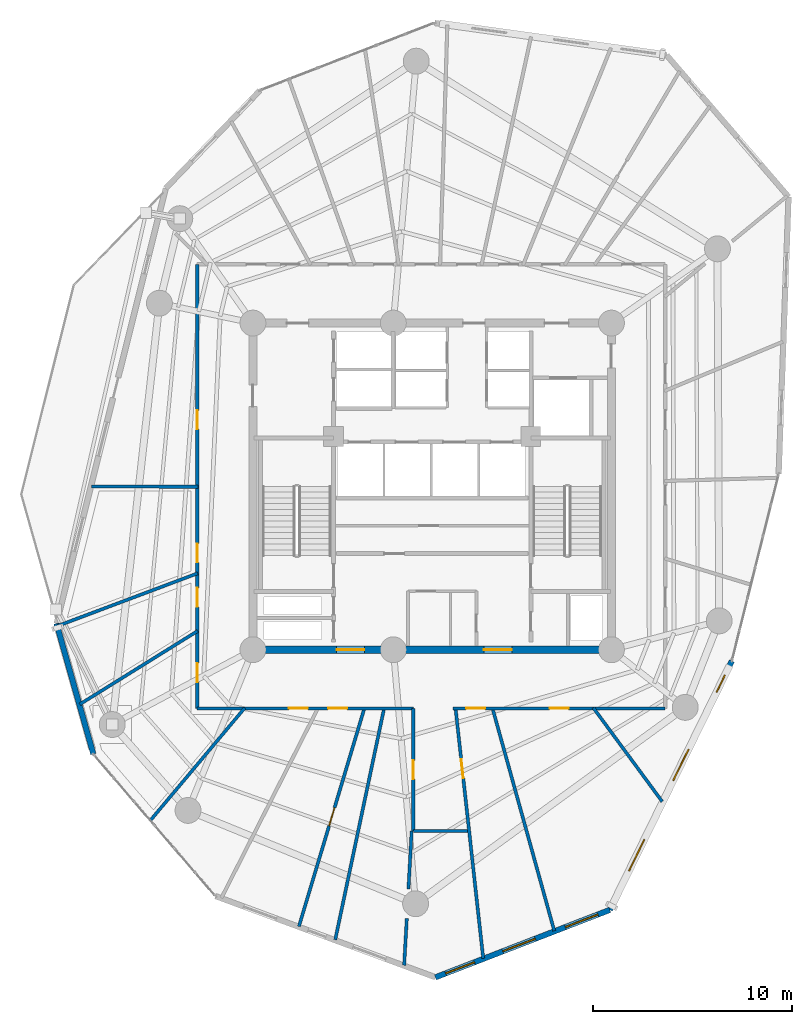
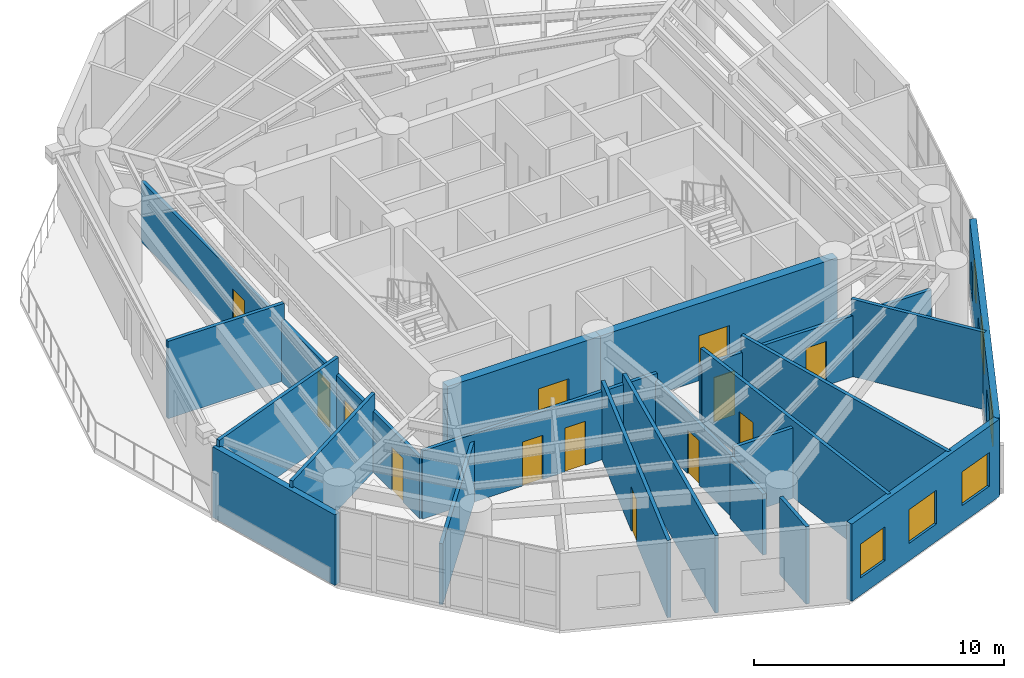
# One storey, part 7 of 14: 21 walls, 13 doors, 6 windows, 19 openings.
"""IFC4 building model written with IfcOpenShell, lengths in metres."""

from ifc_helpers import new_model, si_unit, direction, frame, frame_2d, origin, origin_with_axes, place, context, subcontext, project, spatial, rectangle, extrude, source, transform, mapped, material, layer, layer_set, type_object, element, fill, save


model = new_model("IFC4")

# Units and contexts
model_context = context("Model", 3, precision=1e-05, world=origin(), true_north=direction((0.0, 1.0)))
body_context = subcontext(model_context, "Body", "Model", "MODEL_VIEW")
ifc_project = project(units=[si_unit("LENGTHUNIT", "METRE"), si_unit("AREAUNIT", "SQUARE_METRE"), si_unit("VOLUMEUNIT", "CUBIC_METRE"), si_unit("PLANEANGLEUNIT", "RADIAN"), si_unit("MASSUNIT", "GRAM", prefix="KILO")], contexts=[model_context])

# Site, building, storey
site_placement = place(None, origin())
site = spatial("IfcSite", under=ifc_project, at=site_placement, CompositionType="ELEMENT")
building_placement = place(site_placement, origin())
building = spatial("IfcBuilding", under=site, at=building_placement, Name="Karkom Vertical University and Central Library", CompositionType="ELEMENT")
storey_placement = place(building_placement, frame((0.0, 0.0, 152.550048828125)))
storey = spatial("IfcBuildingStorey", under=building, at=storey_placement, Name="L43", CompositionType="ELEMENT", Elevation=152.550048828125)

# Wall
ifc_material_1 = material(Name="Brick-faced precast concrete C45/55", Category="masonry")
ifc_layer_1 = layer(ifc_material_1, 0.280029296875)
ifc_layer_set_1 = layer_set([ifc_layer_1], Name="Brick-faced precast concrete C45/55")
wall_type_1 = type_object("IfcWallType", Name="ENV-WL-BRK-280", PredefinedType="SOLIDWALL", material=ifc_layer_set_1)
wall_1_placement = place(storey_placement, frame((9.63671875, 19.61767578125, 0.0), z_axis=(0.0, 0.0, 1.0), x_axis=(0.271681437249, -0.96238723841, 0.0)))
element("IfcWall", 1, at=wall_1_placement, inside=storey, type_object=wall_type_1, Name="Level 43 Brick-Faced Precast Facade Wall 01", PredefinedType="SOLIDWALL", context=body_context, shape_type="SweptSolid", body=[
    extrude(rectangle(XDim=6.8134765625, YDim=0.280029296875, at=frame_2d((3.40673828125, 0.0))), origin(), (0.0, 0.0, 1.0), 3.445068359375),
])

# Wall, openings, windows
wall_2_placement = place(storey_placement, frame((28.6611328125, 1.85009765625, 0.0), z_axis=(0.0, 0.0, 1.0), x_axis=(0.93264769039, 0.360788422223, 0.0)))
wall_2 = element("IfcWall", 2, at=wall_2_placement, inside=storey, type_object=wall_type_1, Name="Level 43 Brick-Faced Precast Facade Wall 04", PredefinedType="SOLIDWALL", context=body_context, shape_type="SweptSolid", body=[
    extrude(rectangle(XDim=9.39111328125, YDim=0.280029296875, at=frame_2d((4.695556640625, 0.0))), origin(), (0.0, 0.0, 1.0), 3.77490234375),
])
opening_1_placement = place(wall_2_placement, frame((0.551513671875, 0.0, 0.85009765625)))
opening_1 = element("IfcOpeningElement", 3, at=opening_1_placement, cuts=wall_2, Name="Opening WN-09", PredefinedType="OPENING", context=body_context, shape_type="SweptSolid", body=[
    extrude(rectangle(XDim=1.550048828125, YDim=1.64990234375, at=frame_2d((0.77490234375, 0.824951171875))), frame((0.0, 0.14990234375, 0.0), z_axis=(0.0, -1.0, 0.0), x_axis=(1.0, 0.0, 0.0)), (0.0, 0.0, 1.0), 0.300048828125),
])
opening_2_placement = place(wall_2_placement, frame((3.62744140625, 0.0, 0.85009765625)))
opening_2 = element("IfcOpeningElement", 4, at=opening_2_placement, cuts=wall_2, Name="Opening WN-08", PredefinedType="OPENING", context=body_context, shape_type="SweptSolid", body=[
    extrude(rectangle(XDim=1.75, YDim=1.64990234375, at=frame_2d((0.875, 0.824951171875))), frame((0.0, 0.14990234375, 0.0), z_axis=(0.0, -1.0, 0.0), x_axis=(1.0, 0.0, 0.0)), (0.0, 0.0, 1.0), 0.300048828125),
])
opening_3_placement = place(wall_2_placement, frame((6.99658203125, 0.0, 0.85009765625)))
opening_3 = element("IfcOpeningElement", 5, at=opening_3_placement, cuts=wall_2, Name="Opening WN-08", PredefinedType="OPENING", context=body_context, shape_type="SweptSolid", body=[
    extrude(rectangle(XDim=1.75, YDim=1.64990234375, at=frame_2d((0.875, 0.824951171875))), frame((0.0, 0.14990234375, 0.0), z_axis=(0.0, -1.0, 0.0), x_axis=(1.0, 0.0, 0.0)), (0.0, 0.0, 1.0), 0.300048828125),
])
ifc_material_2 = material(Name="Aluminium thermal-break frame with solar-control IGU", Category="aluminium")
window_type_1 = type_object("IfcWindowType", Name="ENV-WIN-WN-08", PartitioningType="SINGLE_PANEL", PredefinedType="WINDOW", material=ifc_material_2)
shared_shape_1 = source(origin_with_axes(), body_context, "Body", "SweptSolid", [
    extrude(rectangle(XDim=1.75, YDim=1.64990234375, at=frame_2d((0.875, 0.824951171875))), frame((0.0, 0.030029296875, 0.0), z_axis=(0.0, -1.0, 0.0), x_axis=(1.0, 0.0, 0.0)), (0.0, 0.0, 1.0), 0.06005859375),
])
window_1_placement = place(opening_2_placement, origin())
window_1 = element("IfcWindow", 6, at=window_1_placement, inside=storey, type_object=window_type_1, Name="Level 43 Punched Window 4.2", OverallHeight=1.64990234375, OverallWidth=1.75, PartitioningType="SINGLE_PANEL", PredefinedType="WINDOW", context=body_context, shape_type="MappedRepresentation", body=[
    mapped(shared_shape_1, transform((0.0, 0.0, 0.0), scale=1.0)),
])
fill(opening_2, window_1)
window_2_placement = place(opening_3_placement, origin())
window_2 = element("IfcWindow", 7, at=window_2_placement, inside=storey, type_object=window_type_1, Name="Level 43 Punched Window 4.3", OverallHeight=1.64990234375, OverallWidth=1.75, PartitioningType="SINGLE_PANEL", PredefinedType="WINDOW", context=body_context, shape_type="MappedRepresentation", body=[
    mapped(shared_shape_1, transform((0.0, 0.0, 0.0), scale=1.0)),
])
fill(opening_3, window_2)
window_type_2 = type_object("IfcWindowType", Name="ENV-WIN-WN-09", PartitioningType="SINGLE_PANEL", PredefinedType="WINDOW", material=ifc_material_2)
shared_shape_2 = source(origin_with_axes(), body_context, "Body", "SweptSolid", [
    extrude(rectangle(XDim=1.550048828125, YDim=1.64990234375, at=frame_2d((0.77490234375, 0.824951171875))), frame((0.0, 0.030029296875, 0.0), z_axis=(0.0, -1.0, 0.0), x_axis=(1.0, 0.0, 0.0)), (0.0, 0.0, 1.0), 0.06005859375),
])
window_3_placement = place(opening_1_placement, origin())
window_3 = element("IfcWindow", 8, at=window_3_placement, inside=storey, type_object=window_type_2, Name="Level 43 Punched Window 4.1", OverallHeight=1.64990234375, OverallWidth=1.550048828125, PartitioningType="SINGLE_PANEL", PredefinedType="WINDOW", context=body_context, shape_type="MappedRepresentation", body=[
    mapped(shared_shape_2, transform((0.0, 0.0, 0.0), scale=1.0)),
])
fill(opening_1, window_3)

wall_3_placement = place(storey_placement, frame((37.419677734375, 5.23828125, 0.0), z_axis=(0.0, 0.0, 1.0), x_axis=(0.440185493808, 0.897906861005, 0.0)))
wall_3 = element("IfcWall", 9, at=wall_3_placement, inside=storey, type_object=wall_type_1, Name="Level 43 Brick-Faced Precast Facade Wall 05", PredefinedType="SOLIDWALL", context=body_context, shape_type="SweptSolid", body=[
    extrude(rectangle(XDim=13.92236328125, YDim=0.280029296875, at=frame_2d((6.961181640625, 0.0))), origin(), (0.0, 0.0, 1.0), 3.77490234375),
])
opening_4_placement = place(wall_3_placement, frame((2.182861328125, 0.0, 0.85009765625)))
opening_4 = element("IfcOpeningElement", 10, at=opening_4_placement, cuts=wall_3, Name="Opening WN-08", PredefinedType="OPENING", context=body_context, shape_type="SweptSolid", body=[
    extrude(rectangle(XDim=1.75, YDim=1.64990234375, at=frame_2d((0.875, 0.824951171875))), frame((0.0, 0.14990234375, 0.0), z_axis=(0.0, -1.0, 0.0), x_axis=(1.0, 0.0, 0.0)), (0.0, 0.0, 1.0), 0.300048828125),
])
opening_5_placement = place(wall_3_placement, frame((7.23046875, 0.0, 0.85009765625)))
opening_5 = element("IfcOpeningElement", 11, at=opening_5_placement, cuts=wall_3, Name="Opening WN-08", PredefinedType="OPENING", context=body_context, shape_type="SweptSolid", body=[
    extrude(rectangle(XDim=1.75, YDim=1.64990234375, at=frame_2d((0.875, 0.824951171875))), frame((0.0, 0.14990234375, 0.0), z_axis=(0.0, -1.0, 0.0), x_axis=(1.0, 0.0, 0.0)), (0.0, 0.0, 1.0), 0.300048828125),
])
opening_6_placement = place(wall_3_placement, frame((12.173828125, 0.0, 0.85009765625)))
opening_6 = element("IfcOpeningElement", 12, at=opening_6_placement, cuts=wall_3, Name="Opening WN-12", PredefinedType="OPENING", context=body_context, shape_type="SweptSolid", body=[
    extrude(rectangle(XDim=0.949951171875, YDim=1.5, at=frame_2d((0.47509765625, 0.75))), frame((0.0, 0.14990234375, 0.0), z_axis=(0.0, -1.0, 0.0), x_axis=(1.0, 0.0, 0.0)), (0.0, 0.0, 1.0), 0.300048828125),
])
window_type_3 = type_object("IfcWindowType", Name="ENV-WIN-WN-12", PartitioningType="SINGLE_PANEL", PredefinedType="WINDOW", material=ifc_material_2)
shared_shape_3 = source(origin_with_axes(), body_context, "Body", "SweptSolid", [
    extrude(rectangle(XDim=0.949951171875, YDim=1.5, at=frame_2d((0.47509765625, 0.75))), frame((0.0, 0.030029296875, 0.0), z_axis=(0.0, -1.0, 0.0), x_axis=(1.0, 0.0, 0.0)), (0.0, 0.0, 1.0), 0.06005859375),
])
window_4_placement = place(opening_6_placement, origin())
window_4 = element("IfcWindow", 13, at=window_4_placement, inside=storey, type_object=window_type_3, Name="Level 43 Punched Window 5.3", OverallHeight=1.5, OverallWidth=0.949951171875, PartitioningType="SINGLE_PANEL", PredefinedType="WINDOW", context=body_context, shape_type="MappedRepresentation", body=[
    mapped(shared_shape_3, transform((0.0, 0.0, 0.0), scale=1.0)),
])
fill(opening_6, window_4)
window_5_placement = place(opening_4_placement, origin())
window_5 = element("IfcWindow", 14, at=window_5_placement, inside=storey, type_object=window_type_1, Name="Level 43 Punched Window 5.1", OverallHeight=1.64990234375, OverallWidth=1.75, PartitioningType="SINGLE_PANEL", PredefinedType="WINDOW", context=body_context, shape_type="MappedRepresentation", body=[
    mapped(shared_shape_1, transform((0.0, 0.0, 0.0), scale=1.0)),
])
fill(opening_4, window_5)
window_6_placement = place(opening_5_placement, origin())
window_6 = element("IfcWindow", 15, at=window_6_placement, inside=storey, type_object=window_type_1, Name="Level 43 Punched Window 5.2", OverallHeight=1.64990234375, OverallWidth=1.75, PartitioningType="SINGLE_PANEL", PredefinedType="WINDOW", context=body_context, shape_type="MappedRepresentation", body=[
    mapped(shared_shape_1, transform((0.0, 0.0, 0.0), scale=1.0)),
])
fill(opening_5, window_6)

# Wall, openings, doors
ifc_material_3 = material(Name="Insulated metal-stud drywall 160mm", Category="gypsum")
ifc_layer_2 = layer(ifc_material_3, 0.159912109375)
ifc_layer_set_2 = layer_set([ifc_layer_2], Name="Insulated metal-stud drywall 160mm")
wall_type_2 = type_object("IfcWallType", Name="INT-WL-COR-160", PredefinedType="PARTITIONING", material=ifc_layer_set_2)
wall_4_placement = place(storey_placement, frame((16.699951171875, 15.35009765625, 0.0), z_axis=(0.0, 0.0, 1.0), x_axis=(0.0, 1.0, 0.0)))
wall_4 = element("IfcWall", 16, at=wall_4_placement, inside=storey, type_object=wall_type_2, Name="Level 43 Interior Partition Wall L43-CORW-CW-002", PredefinedType="PARTITIONING", context=body_context, shape_type="SweptSolid", body=[
    extrude(rectangle(XDim=22.2998046875, YDim=0.159912109375, at=frame_2d((11.14990234375, 0.0))), origin(), (0.0, 0.0, 1.0), 2.974853515625),
])
opening_7_placement = place(wall_4_placement, frame((7.330078125, 0.0, 0.0)))
opening_7 = element("IfcOpeningElement", 17, at=opening_7_placement, cuts=wall_4, Name="Opening D-RM1", PredefinedType="OPENING", context=body_context, shape_type="SweptSolid", body=[
    extrude(rectangle(XDim=0.949951171875, YDim=2.14990234375, at=frame_2d((0.47509765625, 1.074951171875))), frame((0.0, 0.08984375, 0.0), z_axis=(0.0, -1.0, 0.0), x_axis=(1.0, 0.0, 0.0)), (0.0, 0.0, 1.0), 0.179931640625),
])
opening_8_placement = place(wall_4_placement, frame((5.10009765625, 0.0, 0.0)))
opening_8 = element("IfcOpeningElement", 18, at=opening_8_placement, cuts=wall_4, Name="Opening FD-RM2", PredefinedType="OPENING", context=body_context, shape_type="SweptSolid", body=[
    extrude(rectangle(XDim=0.9599609375, YDim=2.14990234375, at=frame_2d((0.47998046875, 1.074951171875))), frame((0.0, 0.08984375, 0.0), z_axis=(0.0, -1.0, 0.0), x_axis=(1.0, 0.0, 0.0)), (0.0, 0.0, 1.0), 0.179931640625),
])
opening_9_placement = place(wall_4_placement, frame((1.328125, 0.0, 0.0)))
opening_9 = element("IfcOpeningElement", 19, at=opening_9_placement, cuts=wall_4, Name="Opening D-RM1", PredefinedType="OPENING", context=body_context, shape_type="SweptSolid", body=[
    extrude(rectangle(XDim=0.949951171875, YDim=2.14990234375, at=frame_2d((0.47509765625, 1.074951171875))), frame((0.0, 0.08984375, 0.0), z_axis=(0.0, -1.0, 0.0), x_axis=(1.0, 0.0, 0.0)), (0.0, 0.0, 1.0), 0.179931640625),
])
opening_10_placement = place(wall_4_placement, frame((14.02001953125, 0.0, 0.0)))
opening_10 = element("IfcOpeningElement", 20, at=opening_10_placement, cuts=wall_4, Name="Opening D-RM1", PredefinedType="OPENING", context=body_context, shape_type="SweptSolid", body=[
    extrude(rectangle(XDim=0.949951171875, YDim=2.14990234375, at=frame_2d((0.47509765625, 1.074951171875))), frame((0.0, 0.08984375, 0.0), z_axis=(0.0, -1.0, 0.0), x_axis=(1.0, 0.0, 0.0)), (0.0, 0.0, 1.0), 0.179931640625),
])
ifc_material_4 = material(Name="Fire-rated oak veneer door", Category="wood")
door_type_1 = type_object("IfcDoorType", Name="INT-DR-FRM2", OperationType="NOTDEFINED", PredefinedType="DOOR", material=ifc_material_4)
shared_shape_4 = source(origin_with_axes(), body_context, "Body", "SweptSolid", [
    extrude(rectangle(XDim=0.9599609375, YDim=2.14990234375, at=frame_2d((0.47998046875, 1.074951171875))), frame((0.0, 0.02490234375, 0.0), z_axis=(0.0, -1.0, 0.0), x_axis=(1.0, 0.0, 0.0)), (0.0, 0.0, 1.0), 0.050048828125),
])
door_1_placement = place(opening_8_placement, origin())
door_1 = element("IfcDoor", 21, at=door_1_placement, inside=storey, type_object=door_type_1, Name="Level 43 Room Entry Door 010", OperationType="SINGLE_SWING_LEFT", OverallHeight=2.14990234375, OverallWidth=0.9599609375, PredefinedType="DOOR", context=body_context, shape_type="MappedRepresentation", body=[
    mapped(shared_shape_4, transform((0.0, 0.0, 0.0), scale=1.0)),
])
fill(opening_8, door_1)
ifc_material_5 = material(Name="Solid-core oak veneer door", Category="wood")
door_type_2 = type_object("IfcDoorType", Name="INT-DR-RM1", OperationType="NOTDEFINED", PredefinedType="DOOR", material=ifc_material_5)
shared_shape_5 = source(origin_with_axes(), body_context, "Body", "SweptSolid", [
    extrude(rectangle(XDim=0.949951171875, YDim=2.14990234375, at=frame_2d((0.47509765625, 1.074951171875))), frame((0.0, 0.02490234375, 0.0), z_axis=(0.0, -1.0, 0.0), x_axis=(1.0, 0.0, 0.0)), (0.0, 0.0, 1.0), 0.050048828125),
])
door_2_placement = place(opening_7_placement, origin())
door_2 = element("IfcDoor", 22, at=door_2_placement, inside=storey, type_object=door_type_2, Name="Level 43 Room Entry Door 000", OperationType="SINGLE_SWING_RIGHT", OverallHeight=2.14990234375, OverallWidth=0.949951171875, PredefinedType="DOOR", context=body_context, shape_type="MappedRepresentation", body=[
    mapped(shared_shape_5, transform((0.0, 0.0, 0.0), scale=1.0)),
])
fill(opening_7, door_2)
door_3_placement = place(opening_9_placement, origin())
door_3 = element("IfcDoor", 23, at=door_3_placement, inside=storey, type_object=door_type_2, Name="Level 43 Room Entry Door 020", OperationType="SINGLE_SWING_RIGHT", OverallHeight=2.14990234375, OverallWidth=0.949951171875, PredefinedType="DOOR", context=body_context, shape_type="MappedRepresentation", body=[
    mapped(shared_shape_5, transform((0.0, 0.0, 0.0), scale=1.0)),
])
fill(opening_9, door_3)
door_4_placement = place(opening_10_placement, origin())
door_4 = element("IfcDoor", 24, at=door_4_placement, inside=storey, type_object=door_type_2, Name="Level 43 Room Entry Door 230", OperationType="SINGLE_SWING_RIGHT", OverallHeight=2.14990234375, OverallWidth=0.949951171875, PredefinedType="DOOR", context=body_context, shape_type="MappedRepresentation", body=[
    mapped(shared_shape_5, transform((0.0, 0.0, 0.0), scale=1.0)),
])
fill(opening_10, door_4)

# Wall, opening, door
wall_5_placement = place(storey_placement, frame((29.670166015625, 15.3798828125, 0.0), z_axis=(0.0, 0.0, 1.0), x_axis=(0.109978172038, -0.993934002676, 0.0)))
wall_5 = element("IfcWall", 25, at=wall_5_placement, inside=storey, type_object=wall_type_2, Name="Level 43 Interior Partition Wall L43-PW-010", PredefinedType="PARTITIONING", context=body_context, shape_type="SweptSolid", body=[
    extrude(rectangle(XDim=12.64892578125, YDim=0.159912109375, at=frame_2d((6.324462890625, 0.0))), origin(), (0.0, 0.0, 1.0), 3.77490234375),
])
opening_11_placement = place(wall_5_placement, frame((2.597900390625, 0.0, 0.0)))
opening_11 = element("IfcOpeningElement", 26, at=opening_11_placement, cuts=wall_5, Name="Opening D-RM1", PredefinedType="OPENING", context=body_context, shape_type="SweptSolid", body=[
    extrude(rectangle(XDim=0.949951171875, YDim=2.14990234375, at=frame_2d((0.47509765625, 1.074951171875))), frame((0.0, 0.08984375, 0.0), z_axis=(0.0, -1.0, 0.0), x_axis=(1.0, 0.0, 0.0)), (0.0, 0.0, 1.0), 0.179931640625),
])
door_5_placement = place(opening_11_placement, origin())
door_5 = element("IfcDoor", 27, at=door_5_placement, inside=storey, type_object=door_type_2, Name="Level 43 Room Entry Door 070", OperationType="SINGLE_SWING_RIGHT", OverallHeight=2.14990234375, OverallWidth=0.949951171875, PredefinedType="DOOR", context=body_context, shape_type="MappedRepresentation", body=[
    mapped(shared_shape_5, transform((0.0, 0.0, 0.0), scale=1.0)),
])
fill(opening_11, door_5)

# Walls
wall_6_placement = place(storey_placement, frame((26.08984375, 15.37939453125, 0.0), z_axis=(0.0, 0.0, 1.0), x_axis=(-0.206629699735, -0.978419218529, 0.0)))
element("IfcWall", 28, at=wall_6_placement, inside=storey, type_object=wall_type_2, Name="Level 43 Interior Partition Wall L43-PW-007", PredefinedType="PARTITIONING", context=body_context, shape_type="SweptSolid", body=[
    extrude(rectangle(XDim=11.901611328125, YDim=0.159912109375, at=frame_2d((5.95068359375, 0.0))), origin(), (0.0, 0.0, 1.0), 3.77490234375),
])
wall_7_placement = place(storey_placement, frame((31.5234375, 15.37890625, 0.0), z_axis=(0.0, 0.0, 1.0), x_axis=(0.267345748254, -0.963600669827, 0.0)))
element("IfcWall", 29, at=wall_7_placement, inside=storey, type_object=wall_type_2, Name="Level 43 Interior Partition Wall L43-PW-011", PredefinedType="PARTITIONING", context=body_context, shape_type="SweptSolid", body=[
    extrude(rectangle(XDim=11.615966796875, YDim=0.159912109375, at=frame_2d((5.80810546875, 0.0))), origin(), (0.0, 0.0, 1.0), 3.77490234375),
])

# Wall, opening, door
wall_8_placement = place(storey_placement, frame((25.1005859375, 15.378662109375, 0.0), z_axis=(0.0, 0.0, 1.0), x_axis=(-0.287375259065, -0.957818072745, 0.0)))
wall_8 = element("IfcWall", 30, at=wall_8_placement, inside=storey, type_object=wall_type_2, Name="Level 43 Interior Partition Wall L43-PW-006", PredefinedType="PARTITIONING", context=body_context, shape_type="SweptSolid", body=[
    extrude(rectangle(XDim=11.455322265625, YDim=0.159912109375, at=frame_2d((5.7275390625, 0.0))), origin(), (0.0, 0.0, 1.0), 3.77490234375),
])
opening_12_placement = place(wall_8_placement, frame((5.235107421875, 0.0, 0.0)))
opening_12 = element("IfcOpeningElement", 31, at=opening_12_placement, cuts=wall_8, Name="Opening D-RM1", PredefinedType="OPENING", context=body_context, shape_type="SweptSolid", body=[
    extrude(rectangle(XDim=0.949951171875, YDim=2.14990234375, at=frame_2d((0.47509765625, 1.074951171875))), frame((0.0, 0.08984375, 0.0), z_axis=(0.0, -1.0, 0.0), x_axis=(1.0, 0.0, 0.0)), (0.0, 0.0, 1.0), 0.179931640625),
])
door_6_placement = place(opening_12_placement, origin())
door_6 = element("IfcDoor", 32, at=door_6_placement, inside=storey, type_object=door_type_2, Name="Level 43 Room Entry Door 050", OperationType="SINGLE_SWING_LEFT", OverallHeight=2.14990234375, OverallWidth=0.949951171875, PredefinedType="DOOR", context=body_context, shape_type="MappedRepresentation", body=[
    mapped(shared_shape_5, transform((0.0, 0.0, 0.0), scale=1.0)),
])
fill(opening_12, door_6)

# Wall, openings, doors
wall_9_placement = place(storey_placement, frame((27.550048828125, 15.35009765625, 0.0), z_axis=(0.0, 0.0, 1.0), x_axis=(-1.0, 0.0, 0.0)))
wall_9 = element("IfcWall", 33, at=wall_9_placement, inside=storey, type_object=wall_type_2, Name="Level 43 Interior Partition Wall L43-CORW-CW-001", PredefinedType="PARTITIONING", context=body_context, shape_type="SweptSolid", body=[
    extrude(rectangle(XDim=10.85009765625, YDim=0.159912109375, at=frame_2d((5.425048828125, 0.0))), origin(), (0.0, 0.0, 1.0), 3.324951171875),
])
opening_13_placement = place(wall_9_placement, frame((5.2900390625, 0.0, 0.0)))
opening_13 = element("IfcOpeningElement", 34, at=opening_13_placement, cuts=wall_9, Name="Opening D-RM1", PredefinedType="OPENING", context=body_context, shape_type="SweptSolid", body=[
    extrude(rectangle(XDim=0.949951171875, YDim=2.14990234375, at=frame_2d((0.47509765625, 1.074951171875))), frame((0.0, 0.08984375, 0.0), z_axis=(0.0, -1.0, 0.0), x_axis=(1.0, 0.0, 0.0)), (0.0, 0.0, 1.0), 0.179931640625),
])
opening_14_placement = place(wall_9_placement, frame((3.322509765625, 0.0, 0.0)))
opening_14 = element("IfcOpeningElement", 35, at=opening_14_placement, cuts=wall_9, Name="Opening D-RM1", PredefinedType="OPENING", context=body_context, shape_type="SweptSolid", body=[
    extrude(rectangle(XDim=0.949951171875, YDim=2.14990234375, at=frame_2d((0.47509765625, 1.074951171875))), frame((0.0, 0.08984375, 0.0), z_axis=(0.0, -1.0, 0.0), x_axis=(1.0, 0.0, 0.0)), (0.0, 0.0, 1.0), 0.179931640625),
])
door_7_placement = place(opening_13_placement, origin())
door_7 = element("IfcDoor", 36, at=door_7_placement, inside=storey, type_object=door_type_2, Name="Level 43 Room Entry Door 030", OperationType="SINGLE_SWING_LEFT", OverallHeight=2.14990234375, OverallWidth=0.949951171875, PredefinedType="DOOR", context=body_context, shape_type="MappedRepresentation", body=[
    mapped(shared_shape_5, transform((0.0, 0.0, 0.0), scale=1.0)),
])
fill(opening_13, door_7)
door_8_placement = place(opening_14_placement, origin())
door_8 = element("IfcDoor", 37, at=door_8_placement, inside=storey, type_object=door_type_2, Name="Level 43 Room Entry Door 040", OperationType="SINGLE_SWING_RIGHT", OverallHeight=2.14990234375, OverallWidth=0.949951171875, PredefinedType="DOOR", context=body_context, shape_type="MappedRepresentation", body=[
    mapped(shared_shape_5, transform((0.0, 0.0, 0.0), scale=1.0)),
])
fill(opening_14, door_8)

wall_10_placement = place(storey_placement, frame((40.199951171875, 15.35009765625, 0.0), z_axis=(0.0, 0.0, 1.0), x_axis=(-1.0, 0.0, 0.0)))
wall_10 = element("IfcWall", 38, at=wall_10_placement, inside=storey, type_object=wall_type_2, Name="Level 43 Interior Partition Wall L43-CORW-CW-005", PredefinedType="PARTITIONING", context=body_context, shape_type="SweptSolid", body=[
    extrude(rectangle(XDim=10.64990234375, YDim=0.159912109375, at=frame_2d((5.324951171875, 0.0))), origin(), (0.0, 0.0, 1.0), 2.974853515625),
])
opening_15_placement = place(wall_10_placement, frame((9.046630859375, 0.0, 0.0)))
opening_15 = element("IfcOpeningElement", 39, at=opening_15_placement, cuts=wall_10, Name="Opening D-RM1", PredefinedType="OPENING", context=body_context, shape_type="SweptSolid", body=[
    extrude(rectangle(XDim=0.949951171875, YDim=2.14990234375, at=frame_2d((0.47509765625, 1.074951171875))), frame((0.0, 0.08984375, 0.0), z_axis=(0.0, -1.0, 0.0), x_axis=(1.0, 0.0, 0.0)), (0.0, 0.0, 1.0), 0.179931640625),
])
opening_16_placement = place(wall_10_placement, frame((4.85009765625, 0.0, 0.0)))
opening_16 = element("IfcOpeningElement", 40, at=opening_16_placement, cuts=wall_10, Name="Opening D-RM1", PredefinedType="OPENING", context=body_context, shape_type="SweptSolid", body=[
    extrude(rectangle(XDim=0.949951171875, YDim=2.14990234375, at=frame_2d((0.47509765625, 1.074951171875))), frame((0.0, 0.08984375, 0.0), z_axis=(0.0, -1.0, 0.0), x_axis=(1.0, 0.0, 0.0)), (0.0, 0.0, 1.0), 0.179931640625),
])
door_9_placement = place(opening_15_placement, origin())
door_9 = element("IfcDoor", 41, at=door_9_placement, inside=storey, type_object=door_type_2, Name="Level 43 Room Entry Door 080", OperationType="SINGLE_SWING_LEFT", OverallHeight=2.14990234375, OverallWidth=0.949951171875, PredefinedType="DOOR", context=body_context, shape_type="MappedRepresentation", body=[
    mapped(shared_shape_5, transform((0.0, 0.0, 0.0), scale=1.0)),
])
fill(opening_15, door_9)
door_10_placement = place(opening_16_placement, origin())
door_10 = element("IfcDoor", 42, at=door_10_placement, inside=storey, type_object=door_type_2, Name="Level 43 Room Entry Door 090", OperationType="SINGLE_SWING_RIGHT", OverallHeight=2.14990234375, OverallWidth=0.949951171875, PredefinedType="DOOR", context=body_context, shape_type="MappedRepresentation", body=[
    mapped(shared_shape_5, transform((0.0, 0.0, 0.0), scale=1.0)),
])
fill(opening_16, door_10)

# Walls
wall_11_placement = place(storey_placement, frame((16.72802734375, 22.138916015625, 0.0), z_axis=(0.0, 0.0, 1.0), x_axis=(-0.936043012374, -0.351885604971, 0.0)))
element("IfcWall", 43, at=wall_11_placement, inside=storey, type_object=wall_type_2, Name="Level 43 Interior Partition Wall L43-PW-001", PredefinedType="PARTITIONING", context=body_context, shape_type="SweptSolid", body=[
    extrude(rectangle(XDim=7.51123046875, YDim=0.159912109375, at=frame_2d((3.755615234375, 0.0))), origin(), (0.0, 0.0, 1.0), 3.77490234375),
])
wall_12_placement = place(storey_placement, frame((19.0849609375, 15.373046875, 0.0), z_axis=(0.0, 0.0, 1.0), x_axis=(-0.642788640308, -0.766043578324, 0.0)))
element("IfcWall", 44, at=wall_12_placement, inside=storey, type_object=wall_type_2, Name="Level 43 Interior Partition Wall L43-PW-004", PredefinedType="PARTITIONING", context=body_context, shape_type="SweptSolid", body=[
    extrude(rectangle(XDim=7.3388671875, YDim=0.159912109375, at=frame_2d((3.66943359375, 0.0))), origin(), (0.0, 0.0, 1.0), 2.974853515625),
])
wall_13_placement = place(storey_placement, frame((16.7255859375, 19.243408203125, 0.0), z_axis=(0.0, 0.0, 1.0), x_axis=(-0.849038090378, -0.528331639301, 0.0)))
element("IfcWall", 45, at=wall_13_placement, inside=storey, type_object=wall_type_2, Name="Level 43 Interior Partition Wall L43-PW-003", PredefinedType="PARTITIONING", context=body_context, shape_type="SweptSolid", body=[
    extrude(rectangle(XDim=6.967041015625, YDim=0.159912109375, at=frame_2d((3.4833984375, 0.0))), origin(), (0.0, 0.0, 1.0), 3.77490234375),
])

# Wall, opening, door
wall_14_placement = place(storey_placement, frame((27.550048828125, 9.199951171875, 0.0), z_axis=(0.0, 0.0, 1.0), x_axis=(0.0, 1.0, 0.0)))
wall_14 = element("IfcWall", 46, at=wall_14_placement, inside=storey, type_object=wall_type_2, Name="Level 43 Interior Partition Wall L43-CORW-CW-008", PredefinedType="PARTITIONING", context=body_context, shape_type="SweptSolid", body=[
    extrude(rectangle(XDim=6.150146484375, YDim=0.159912109375, at=frame_2d((3.0751953125, 0.0))), origin(), (0.0, 0.0, 1.0), 2.974853515625),
])
opening_17_placement = place(wall_14_placement, frame((2.60009765625, 0.0, 0.0)))
opening_17 = element("IfcOpeningElement", 47, at=opening_17_placement, cuts=wall_14, Name="Opening D-RM1", PredefinedType="OPENING", context=body_context, shape_type="SweptSolid", body=[
    extrude(rectangle(XDim=0.949951171875, YDim=2.14990234375, at=frame_2d((0.47509765625, 1.074951171875))), frame((0.0, 0.08984375, 0.0), z_axis=(0.0, -1.0, 0.0), x_axis=(1.0, 0.0, 0.0)), (0.0, 0.0, 1.0), 0.179931640625),
])
door_11_placement = place(opening_17_placement, origin())
door_11 = element("IfcDoor", 48, at=door_11_placement, inside=storey, type_object=door_type_2, Name="Level 43 Room Entry Door 060", OperationType="SINGLE_SWING_LEFT", OverallHeight=2.14990234375, OverallWidth=0.949951171875, PredefinedType="DOOR", context=body_context, shape_type="MappedRepresentation", body=[
    mapped(shared_shape_5, transform((0.0, 0.0, 0.0), scale=1.0)),
])
fill(opening_17, door_11)

# Walls
wall_15_placement = place(storey_placement, frame((36.5888671875, 15.38623046875, 0.0), z_axis=(0.0, 0.0, 1.0), x_axis=(0.59197733649, -0.805954609815, 0.0)))
element("IfcWall", 49, at=wall_15_placement, inside=storey, type_object=wall_type_2, Name="Level 43 Interior Partition Wall L43-PW-012", PredefinedType="PARTITIONING", context=body_context, shape_type="SweptSolid", body=[
    extrude(rectangle(XDim=5.84521484375, YDim=0.159912109375, at=frame_2d((2.922607421875, 0.0))), origin(), (0.0, 0.0, 1.0), 3.77490234375),
])
wall_16_placement = place(storey_placement, frame((11.390380859375, 26.499755859375, 0.0), z_axis=(0.0, 0.0, 1.0), x_axis=(0.999993837579, -0.003510670017, 0.0)))
element("IfcWall", 50, at=wall_16_placement, inside=storey, type_object=wall_type_2, Name="Level 43 Interior Partition Wall L43-PW-002", PredefinedType="PARTITIONING", context=body_context, shape_type="SweptSolid", body=[
    extrude(rectangle(XDim=5.354736328125, YDim=0.159912109375, at=frame_2d((2.67724609375, 0.0))), origin(), (0.0, 0.0, 1.0), 3.77490234375),
])
wall_17_placement = place(storey_placement, frame((27.469970703125, 9.191162109375, 0.0), z_axis=(0.0, 0.0, 1.0), x_axis=(-0.0559398618, -0.998434139972, 0.0)))
element("IfcWall", 51, at=wall_17_placement, inside=storey, type_object=wall_type_2, Name="Level 43 Interior Partition Wall L43-PW-008", PredefinedType="PARTITIONING", context=body_context, shape_type="SweptSolid", body=[
    extrude(rectangle(XDim=2.90673828125, YDim=0.159912109375, at=frame_2d((1.453369140625, 0.0))), origin(), (0.0, 0.0, 1.0), 2.974853515625),
])
wall_18_placement = place(storey_placement, frame((27.224365234375, 4.80908203125, 0.0), z_axis=(0.0, 0.0, 1.0), x_axis=(-0.055900818541, -0.998436326706, 0.0)))
element("IfcWall", 52, at=wall_18_placement, inside=storey, type_object=wall_type_2, Name="Level 43 Interior Partition Wall L43-PW-009", PredefinedType="PARTITIONING", context=body_context, shape_type="SweptSolid", body=[
    extrude(rectangle(XDim=2.35400390625, YDim=0.159912109375, at=frame_2d((1.177001953125, 0.0))), origin(), (0.0, 0.0, 1.0), 3.77490234375),
])
wall_19_placement = place(storey_placement, frame((30.266357421875, 9.199951171875, 0.0), z_axis=(0.0, 0.0, 1.0), x_axis=(-1.0, 0.0, 0.0)))
element("IfcWall", 53, at=wall_19_placement, inside=storey, type_object=wall_type_2, Name="Level 43 Interior Partition Wall L43-CORW-CW-007", PredefinedType="PARTITIONING", context=body_context, shape_type="SweptSolid", body=[
    extrude(rectangle(XDim=2.71630859375, YDim=0.159912109375, at=frame_2d((1.358154296875, 0.0))), origin(), (0.0, 0.0, 1.0), 3.445068359375),
])

# Wall, opening, door
ifc_material_6 = material(Name="Concrete C50/60", Category="concrete")
ifc_layer_3 = layer(ifc_material_6, 0.39990234375)
ifc_layer_set_3 = layer_set([ifc_layer_3], Name="Concrete C50/60")
wall_type_3 = type_object("IfcWallType", Name="STR-WL-CW-400", PredefinedType="SHEAR", material=ifc_layer_set_3)
wall_20_placement = place(storey_placement, frame((19.5, 18.300048828125, 0.0), z_axis=(0.0, 0.0, 1.0), x_axis=(1.0, 0.0, 0.0)))
wall_20 = element("IfcWall", 54, at=wall_20_placement, inside=storey, type_object=wall_type_3, Name="Level 43 Central Core Shear Wall SW1", PredefinedType="SHEAR", context=body_context, shape_type="SweptSolid", body=[
    extrude(rectangle(XDim=7.050048828125, YDim=0.39990234375, at=frame_2d((3.52490234375, 0.0))), origin(), (0.0, 0.0, 1.0), 3.77490234375),
])
opening_18_placement = place(wall_20_placement, frame((4.199951171875, 0.0, 0.0)))
opening_18 = element("IfcOpeningElement", 55, at=opening_18_placement, cuts=wall_20, Name="Opening FD-CLB", PredefinedType="OPENING", context=body_context, shape_type="SweptSolid", body=[
    extrude(rectangle(XDim=1.39990234375, YDim=2.199951171875, at=frame_2d((0.699951171875, 1.10009765625))), frame((0.0, 0.2099609375, 0.0), z_axis=(0.0, -1.0, 0.0), x_axis=(1.0, 0.0, 0.0)), (0.0, 0.0, 1.0), 0.419921875),
])
ifc_material_7 = material(Name="Painted steel fire door", Category="steel")
door_type_3 = type_object("IfcDoorType", Name="INT-DR-CLB", OperationType="DOUBLE_DOOR_SINGLE_SWING", PredefinedType="DOOR", material=ifc_material_7)
shared_shape_6 = source(origin_with_axes(), body_context, "Body", "SweptSolid", [
    extrude(rectangle(XDim=1.39990234375, YDim=2.199951171875, at=frame_2d((0.699951171875, 1.10009765625))), frame((0.0, 0.02490234375, 0.0), z_axis=(0.0, -1.0, 0.0), x_axis=(1.0, 0.0, 0.0)), (0.0, 0.0, 1.0), 0.050048828125),
])
door_12_placement = place(opening_18_placement, origin())
door_12 = element("IfcDoor", 56, at=door_12_placement, inside=storey, type_object=door_type_3, Name="Level 43 South Core Lobby West Exit Door", OperationType="DOUBLE_DOOR_SINGLE_SWING", OverallHeight=2.199951171875, OverallWidth=1.39990234375, PredefinedType="DOOR", context=body_context, shape_type="MappedRepresentation", body=[
    mapped(shared_shape_6, transform((0.0, 0.0, 0.0), scale=1.0)),
])
fill(opening_18, door_12)

wall_21_placement = place(storey_placement, frame((26.550048828125, 18.300048828125, 0.0), z_axis=(0.0, 0.0, 1.0), x_axis=(1.0, 0.0, 0.0)))
wall_21 = element("IfcWall", 57, at=wall_21_placement, inside=storey, type_object=wall_type_3, Name="Level 43 Central Core Shear Wall SW2", PredefinedType="SHEAR", context=body_context, shape_type="SweptSolid", body=[
    extrude(rectangle(XDim=10.949951171875, YDim=0.39990234375, at=frame_2d((5.47509765625, 0.0))), origin(), (0.0, 0.0, 1.0), 3.77490234375),
])
opening_19_placement = place(wall_21_placement, frame((4.550048828125, 0.0, 0.0)))
opening_19 = element("IfcOpeningElement", 58, at=opening_19_placement, cuts=wall_21, Name="Opening FD-CLB", PredefinedType="OPENING", context=body_context, shape_type="SweptSolid", body=[
    extrude(rectangle(XDim=1.39990234375, YDim=2.199951171875, at=frame_2d((0.699951171875, 1.10009765625))), frame((0.0, 0.2099609375, 0.0), z_axis=(0.0, -1.0, 0.0), x_axis=(1.0, 0.0, 0.0)), (0.0, 0.0, 1.0), 0.419921875),
])
door_13_placement = place(opening_19_placement, origin())
door_13 = element("IfcDoor", 59, at=door_13_placement, inside=storey, type_object=door_type_3, Name="Level 43 South Core Lobby East Exit Door", OperationType="DOUBLE_DOOR_SINGLE_SWING", OverallHeight=2.199951171875, OverallWidth=1.39990234375, PredefinedType="DOOR", context=body_context, shape_type="MappedRepresentation", body=[
    mapped(shared_shape_6, transform((0.0, 0.0, 0.0), scale=1.0)),
])
fill(opening_19, door_13)

save(model, "model.ifc")
